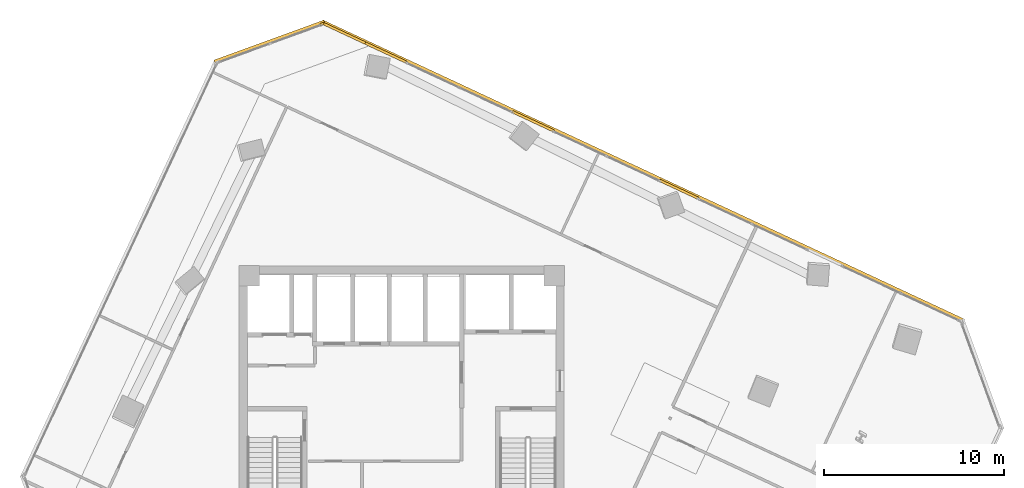
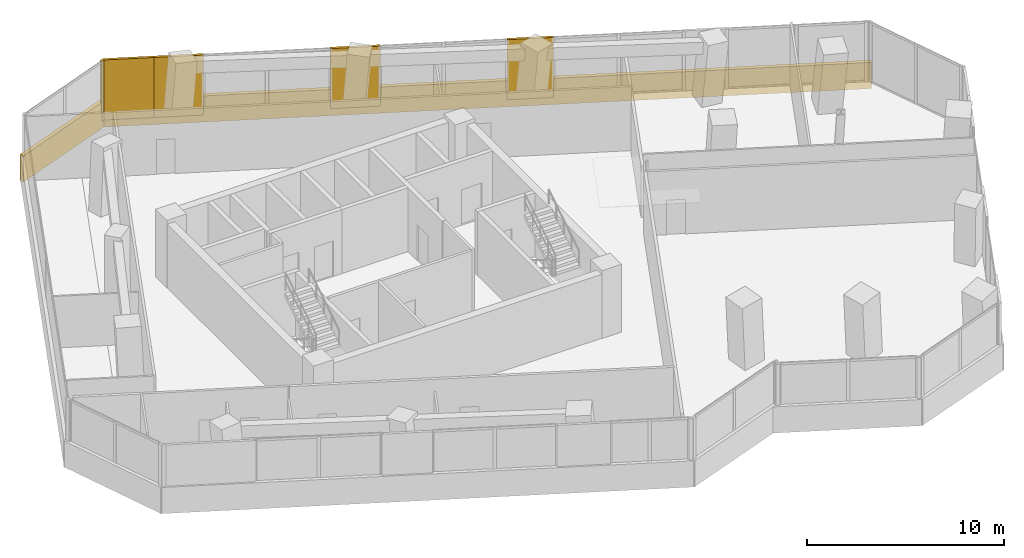
# One storey, part 23 of 23: 7 coverings.
"""IFC4 building model written with IfcOpenShell, lengths in metres."""

from ifc_helpers import new_model, si_unit, direction, frame, origin, origin_2d, place, context, subcontext, project, spatial, rectangle, extrude, source, transform, mapped, material, layer, layer_set, type_object, element, save


model = new_model("IFC4")

# Units and contexts
model_context = context("Model", 3, precision=1e-05, world=origin(), true_north=direction((0.0, 1.0)))
body_context = subcontext(model_context, "Body", "Model", "MODEL_VIEW")
ifc_project = project(units=[si_unit("LENGTHUNIT", "METRE"), si_unit("AREAUNIT", "SQUARE_METRE"), si_unit("VOLUMEUNIT", "CUBIC_METRE"), si_unit("PLANEANGLEUNIT", "RADIAN"), si_unit("MASSUNIT", "GRAM", prefix="KILO")], contexts=[model_context])

# Site, building, storey
site_placement = place(None, origin())
site = spatial("IfcSite", under=ifc_project, at=site_placement, CompositionType="ELEMENT")
building_placement = place(site_placement, origin())
building = spatial("IfcBuilding", under=site, at=building_placement, Name="Torre Montelarca", CompositionType="ELEMENT")
storey_placement = place(building_placement, frame((0.0, 0.0, 158.199951171875)))
storey = spatial("IfcBuildingStorey", under=building, at=storey_placement, Name="L35", CompositionType="ELEMENT", Elevation=158.199951171875)

# Coverings
ifc_material = material(Name="Bush-hammered warm white precast concrete C45/55", Category="concrete")
ifc_layer = layer(ifc_material, 0.139892578125, Name="Bush-hammered warm white precast concrete C45/55", Category="concrete")
ifc_layer_set = layer_set([ifc_layer], Name="Bush-hammered warm white precast concrete C45/55")
covering_type = type_object("IfcCoveringType", Name="COV-TRAY-CLAD", PredefinedType="CLADDING", material=ifc_layer_set)
shared_shape_1 = source(origin(), body_context, "Body", "SweptSolid", [
    extrude(rectangle(XDim=6.48388671875, YDim=0.219970703125, at=origin_2d()), origin(), (0.0, 0.0, 1.0), 1.6201171875),
])
covering_1_placement = place(storey_placement, frame((10.684326171875, 52.412109375, -0.449951171875), z_axis=(0.0, 0.0, 1.0), x_axis=(-0.939691426905, -0.34202342347, 0.0)))
element("IfcCovering", 1, at=covering_1_placement, inside=storey, type_object=covering_type, Name="L35 Architectural White Spandrel Tray Band TRYBOT-09", PredefinedType="CLADDING", context=body_context, shape_type="MappedRepresentation", body=[
    mapped(shared_shape_1, transform((0.0, 0.0, 0.0), scale=1.0)),
])
shared_shape_2 = source(origin(), body_context, "Body", "SweptSolid", [
    extrude(rectangle(XDim=0.199951171875, YDim=0.139892578125, at=origin_2d()), origin(), (0.0, 0.0, 1.0), 3.719970703125),
])
covering_2_placement = place(storey_placement, frame((13.586181640625, 53.404296875, 0.0), z_axis=(0.0, 0.0, 1.0), x_axis=(-0.939693814656, -0.342016863178, 0.0)))
element("IfcCovering", 2, at=covering_2_placement, inside=storey, type_object=covering_type, Name="L35 Architectural Column Pier Cladding E09-1", PredefinedType="CLADDING", context=body_context, shape_type="MappedRepresentation", body=[
    mapped(shared_shape_2, transform((0.0, 0.0, 0.0), scale=1.0)),
])
shared_shape_3 = source(origin(), body_context, "Body", "SweptSolid", [
    extrude(rectangle(XDim=2.37451171875, YDim=0.139892578125, at=origin_2d()), origin(), (0.0, 0.0, 1.0), 3.719970703125),
])
covering_3_placement = place(storey_placement, frame((33.36767578125, 44.241455078125, 0.0), z_axis=(0.0, 0.0, 1.0), x_axis=(-0.906307787037, 0.422618261741, 0.0)))
element("IfcCovering", 3, at=covering_3_placement, inside=storey, type_object=covering_type, Name="L35 Architectural Column Pier Cladding E08-3", PredefinedType="CLADDING", context=body_context, shape_type="MappedRepresentation", body=[
    mapped(shared_shape_3, transform((0.0, 0.0, 0.0), scale=1.0)),
])
shared_shape_4 = source(origin(), body_context, "Body", "SweptSolid", [
    extrude(rectangle(XDim=2.541259765625, YDim=0.139892578125, at=origin_2d()), origin(), (0.0, 0.0, 1.0), 3.719970703125),
])
covering_4_placement = place(storey_placement, frame((25.286376953125, 48.009765625, 0.0), z_axis=(0.0, 0.0, 1.0), x_axis=(-0.906307787037, 0.422618261741, 0.0)))
element("IfcCovering", 4, at=covering_4_placement, inside=storey, type_object=covering_type, Name="L35 Architectural Column Pier Cladding E08-4", PredefinedType="CLADDING", context=body_context, shape_type="MappedRepresentation", body=[
    mapped(shared_shape_4, transform((0.0, 0.0, 0.0), scale=1.0)),
])
shared_shape_5 = source(origin(), body_context, "Body", "SweptSolid", [
    extrude(rectangle(XDim=2.54345703125, YDim=0.139892578125, at=origin_2d()), origin(), (0.0, 0.0, 1.0), 3.719970703125),
])
covering_5_placement = place(storey_placement, frame((17.130615234375, 51.812744140625, 0.0), z_axis=(0.0, 0.0, 1.0), x_axis=(-0.906307787037, 0.422618261741, 0.0)))
element("IfcCovering", 5, at=covering_5_placement, inside=storey, type_object=covering_type, Name="L35 Architectural Column Pier Cladding E08-5", PredefinedType="CLADDING", context=body_context, shape_type="MappedRepresentation", body=[
    mapped(shared_shape_5, transform((0.0, 0.0, 0.0), scale=1.0)),
])
shared_shape_6 = source(origin(), body_context, "Body", "SweptSolid", [
    extrude(rectangle(XDim=2.67919921875, YDim=0.139892578125, at=origin_2d()), origin(), (0.0, 0.0, 1.0), 3.719970703125),
])
covering_6_placement = place(storey_placement, frame((14.8544921875, 52.874267578125, 0.0), z_axis=(0.0, 0.0, 1.0), x_axis=(-0.906307787037, 0.422618261741, 0.0)))
element("IfcCovering", 6, at=covering_6_placement, inside=storey, type_object=covering_type, Name="L35 Architectural Column Pier Cladding E08-6", PredefinedType="CLADDING", context=body_context, shape_type="MappedRepresentation", body=[
    mapped(shared_shape_6, transform((0.0, 0.0, 0.0), scale=1.0)),
])
shared_shape_7 = source(origin(), body_context, "Body", "SweptSolid", [
    extrude(rectangle(XDim=39.22021484375, YDim=0.219970703125, at=origin_2d()), origin(), (0.0, 0.0, 1.0), 1.6201171875),
])
covering_7_placement = place(storey_placement, frame((31.369873046875, 45.2392578125, -0.449951171875), z_axis=(0.0, 0.0, 1.0), x_axis=(-0.906307787037, 0.422618261741, 0.0)))
element("IfcCovering", 7, at=covering_7_placement, inside=storey, type_object=covering_type, Name="L35 Architectural White Spandrel Tray Band TRYBOT-08", PredefinedType="CLADDING", context=body_context, shape_type="MappedRepresentation", body=[
    mapped(shared_shape_7, transform((0.0, 0.0, 0.0), scale=1.0)),
])

save(model, "model.ifc")
